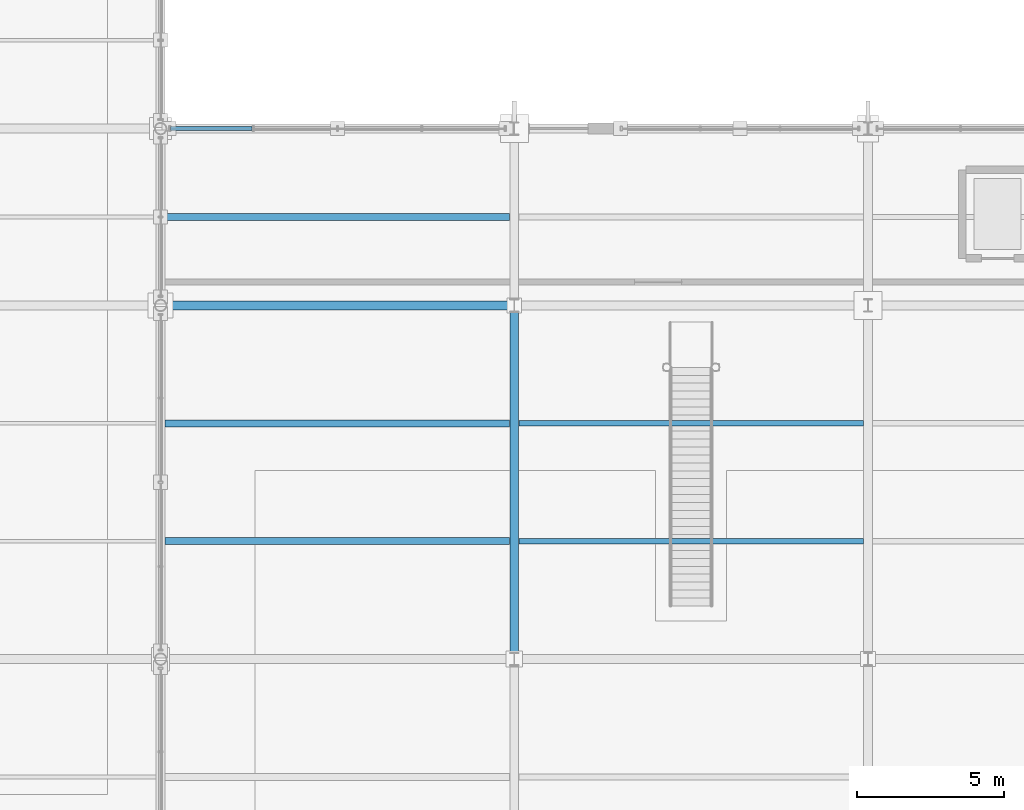
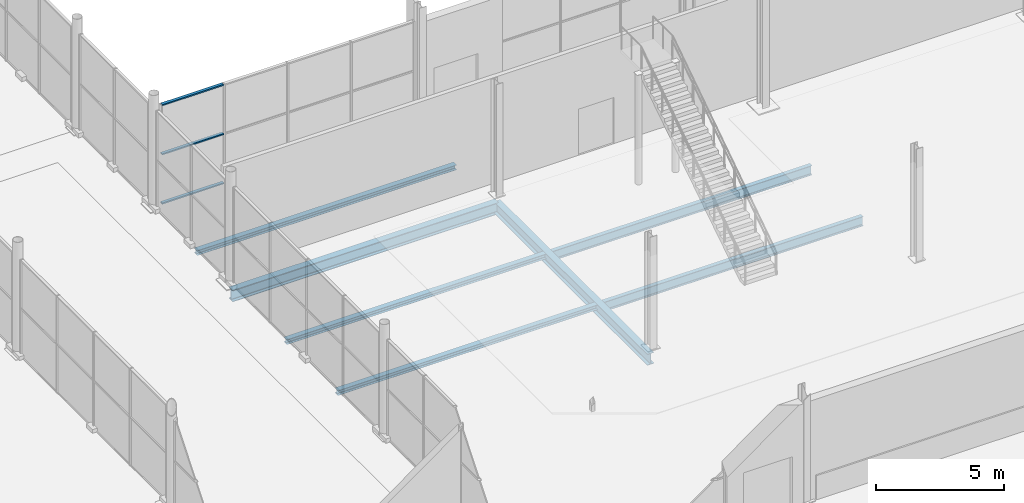
# One storey, part 77 of 196: 7 beams, 3 members, 1 element without a shape of its own.
"""IFC4 building model written with IfcOpenShell, lengths in metres."""

from ifc_helpers import new_model, si_unit, direction, frame, origin, origin_2d, place, context, subcontext, project, spatial, hollow_rectangle, i_section, extrude, material, material_profile, profile_set, type_object, element, aggregate, save


model = new_model("IFC4")

# Units and contexts
model_context = context("Model", 3, precision=1e-05, world=origin(), true_north=direction((0.0, 1.0)))
body_context = subcontext(model_context, "Body", "Model", "MODEL_VIEW")
ifc_project = project(units=[si_unit("LENGTHUNIT", "METRE"), si_unit("AREAUNIT", "SQUARE_METRE"), si_unit("VOLUMEUNIT", "CUBIC_METRE"), si_unit("PLANEANGLEUNIT", "RADIAN"), si_unit("MASSUNIT", "GRAM", prefix="KILO")], contexts=[model_context])

# Site, building, storey
site_placement = place(None, origin())
site = spatial("IfcSite", under=ifc_project, at=site_placement, CompositionType="ELEMENT")
building_placement = place(site_placement, origin())
building = spatial("IfcBuilding", under=site, at=building_placement, Name="Merenkruunu Market Hall", CompositionType="ELEMENT")
storey_placement = place(building_placement, origin())
storey = spatial("IfcBuildingStorey", under=building, at=storey_placement, Name="L00", CompositionType="ELEMENT", Elevation=0.0)

# Curtain wall, members
ifc_material_1 = material(Name="Powder-coated aluminium", Category="aluminium")
curtain_wall_type = type_object("IfcCurtainWallType", Name="Glazed Curtain Wall CW04", PredefinedType="USERDEFINED", material=ifc_material_1)
curtain_wall_placement = place(storey_placement, origin())
curtain_wall = element("IfcCurtainWall", 1, at=curtain_wall_placement, inside=storey, type_object=curtain_wall_type, Name="CW-L00-CWM02-182", ObjectType="GLAZED_FACADE", PredefinedType="USERDEFINED")
ifc_material_profile_1 = material_profile(ifc_material_1, hollow_rectangle(XDim=0.06005859375, YDim=0.139892578125, WallThickness=0.00390625, at=origin_2d()), Name="ALU 60x140x4")
ifc_profile_set_1 = profile_set([ifc_material_profile_1], Name="Powder-coated aluminium")
member_type = type_object("IfcMemberType", Name="Curtain Wall Transom CWT02", PredefinedType="USERDEFINED", material=ifc_profile_set_1)
member_1_placement = place(storey_placement, frame((77.139892578125, 45.60009765625, 0.030029296875), z_axis=(1.0, 0.0, 0.0), x_axis=(0.0, 0.0, 1.0)))
member_1 = element("IfcMember", 2, at=member_1_placement, type_object=member_type, Name="CW04 transom 1.1", ObjectType="TRANSOM", PredefinedType="USERDEFINED", context=body_context, shape_type="SweptSolid", body=[
    extrude(hollow_rectangle(XDim=0.06005859375, YDim=0.139892578125, WallThickness=0.00390625, at=origin_2d()), origin(), (0.0, 0.0, 1.0), 2.77001953125),
])
member_2_placement = place(storey_placement, frame((77.139892578125, 45.60009765625, 2.375), z_axis=(1.0, 0.0, 0.0), x_axis=(0.0, 0.0, 1.0)))
member_2 = element("IfcMember", 3, at=member_2_placement, type_object=member_type, Name="CW04 transom 1.2", ObjectType="TRANSOM", PredefinedType="USERDEFINED", context=body_context, shape_type="SweptSolid", body=[
    extrude(hollow_rectangle(XDim=0.06005859375, YDim=0.139892578125, WallThickness=0.00390625, at=origin_2d()), origin(), (0.0, 0.0, 1.0), 2.77001953125),
])
member_3_placement = place(storey_placement, frame((77.139892578125, 45.60009765625, 4.719970703125), z_axis=(1.0, 0.0, 0.0), x_axis=(0.0, 0.0, 1.0)))
member_3 = element("IfcMember", 4, at=member_3_placement, type_object=member_type, Name="CW04 transom 1.3", ObjectType="TRANSOM", PredefinedType="USERDEFINED", context=body_context, shape_type="SweptSolid", body=[
    extrude(hollow_rectangle(XDim=0.06005859375, YDim=0.139892578125, WallThickness=0.00390625, at=origin_2d()), origin(), (0.0, 0.0, 1.0), 2.77001953125),
])
aggregate(curtain_wall, [member_1, member_2, member_3])

# Beams
ifc_material_2 = material(Name="Steel S355J2", Category="steel")
ifc_material_profile_2 = material_profile(ifc_material_2, i_section(OverallWidth=0.300048828125, OverallDepth=0.550048828125, WebThickness=0.014892578125, FlangeThickness=0.029052734375, FilletRadius=0.027099609375, at=origin_2d()), Name="HEB 550")
ifc_profile_set_2 = profile_set([ifc_material_profile_2], Name="Steel S355J2")
beam_type_1 = type_object("IfcBeamType", Name="Primary Floor Girder B02", PredefinedType="BEAM", material=ifc_profile_set_2)
beam_1_placement = place(storey_placement, frame((76.800048828125, 39.60009765625, -0.574951171875), z_axis=(1.0, 0.0, 0.0), x_axis=(0.0, 1.0, 0.0)))
element("IfcBeam", 5, at=beam_1_placement, inside=storey, type_object=beam_type_1, Name="BM-L00-B02-0053", PredefinedType="BEAM", context=body_context, shape_type="SweptSolid", body=[
    extrude(i_section(OverallWidth=0.300048828125, OverallDepth=0.550048828125, WebThickness=0.014892578125, FlangeThickness=0.029052734375, FilletRadius=0.027099609375, at=origin_2d()), origin(), (0.0, 0.0, 1.0), 12.0),
])
ifc_material_profile_3 = material_profile(ifc_material_2, i_section(OverallWidth=0.300048828125, OverallDepth=0.5400390625, WebThickness=0.012451171875, FlangeThickness=0.02392578125, FilletRadius=0.027099609375, at=origin_2d()), Name="HEA 550")
ifc_profile_set_3 = profile_set([ifc_material_profile_3], Name="Steel S355J2")
beam_type_2 = type_object("IfcBeamType", Name="Primary Floor Girder B06", PredefinedType="BEAM", material=ifc_profile_set_3)
beam_2_placement = place(storey_placement, frame((88.800048828125, 27.60009765625, -0.570068359375), z_axis=(0.0, 1.0, 0.0), x_axis=(-1.0, 0.0, 0.0)))
element("IfcBeam", 6, at=beam_2_placement, inside=storey, type_object=beam_type_2, Name="BM-L00-B06-0210", PredefinedType="BEAM", context=body_context, shape_type="SweptSolid", body=[
    extrude(i_section(OverallWidth=0.300048828125, OverallDepth=0.5400390625, WebThickness=0.012451171875, FlangeThickness=0.02392578125, FilletRadius=0.027099609375, at=origin_2d()), origin(), (0.0, 0.0, 1.0), 12.0),
])
ifc_material_profile_4 = material_profile(ifc_material_2, i_section(OverallWidth=0.18994140625, OverallDepth=0.449951171875, WebThickness=0.009521484375, FlangeThickness=0.0146484375, FilletRadius=0.02099609375, at=origin_2d()), Name="IPE 450")
ifc_profile_set_4 = profile_set([ifc_material_profile_4], Name="Steel S355J2")
beam_type_3 = type_object("IfcBeamType", Name="Secondary Floor Joist J01", PredefinedType="JOIST", material=ifc_profile_set_4)
for number, where, z_axis, x_axis, name in (
    (7, (88.952880859375, 31.60009765625, -0.52490234375), (1.0, 0.0, 0.0), (0.0, 1.0, 0.0), "BM-L00-J01-0378"),
    (8, (88.952880859375, 35.60009765625, -0.52490234375), (1.0, 0.0, 0.0), (0.0, 1.0, 0.0), "BM-L00-J01-0379"),
):
    element("IfcBeam", number, at=place(storey_placement, frame(where, z_axis=z_axis, x_axis=x_axis)), inside=storey, type_object=beam_type_3, Name=name, PredefinedType="JOIST", context=body_context, shape_type="SweptSolid", body=[
        extrude(i_section(OverallWidth=0.18994140625, OverallDepth=0.449951171875, WebThickness=0.009521484375, FlangeThickness=0.0146484375, FilletRadius=0.02099609375, at=origin_2d()), origin(), (0.0, 0.0, 1.0), 11.694091796875),
    ])
ifc_material_profile_5 = material_profile(ifc_material_2, i_section(OverallWidth=0.239990234375, OverallDepth=0.22998046875, WebThickness=0.007568359375, FlangeThickness=0.011962890625, FilletRadius=0.02099609375, at=origin_2d()), Name="HEA 240")
ifc_profile_set_5 = profile_set([ifc_material_profile_5], Name="Steel S355J2")
beam_type_4 = type_object("IfcBeamType", Name="Secondary Floor Joist J06", PredefinedType="JOIST", material=ifc_profile_set_5)
for number, where, z_axis, x_axis, name in (
    (9, (76.952880859375, 31.60009765625, -0.4150390625), (1.0, 0.0, 0.0), (0.0, 1.0, 0.0), "BM-L00-J06-0370"),
    (10, (76.952880859375, 35.60009765625, -0.4150390625), (1.0, 0.0, 0.0), (0.0, 1.0, 0.0), "BM-L00-J06-0371"),
    (11, (76.952880859375, 42.60009765625, -0.4150390625), (1.0, 0.0, 0.0), (0.0, 1.0, 0.0), "BM-L00-J06-0372"),
):
    element("IfcBeam", number, at=place(storey_placement, frame(where, z_axis=z_axis, x_axis=x_axis)), inside=storey, type_object=beam_type_4, Name=name, PredefinedType="JOIST", context=body_context, shape_type="SweptSolid", body=[
        extrude(i_section(OverallWidth=0.239990234375, OverallDepth=0.22998046875, WebThickness=0.007568359375, FlangeThickness=0.011962890625, FilletRadius=0.02099609375, at=origin_2d()), origin(), (0.0, 0.0, 1.0), 11.694091796875),
    ])

save(model, "model.ifc")
